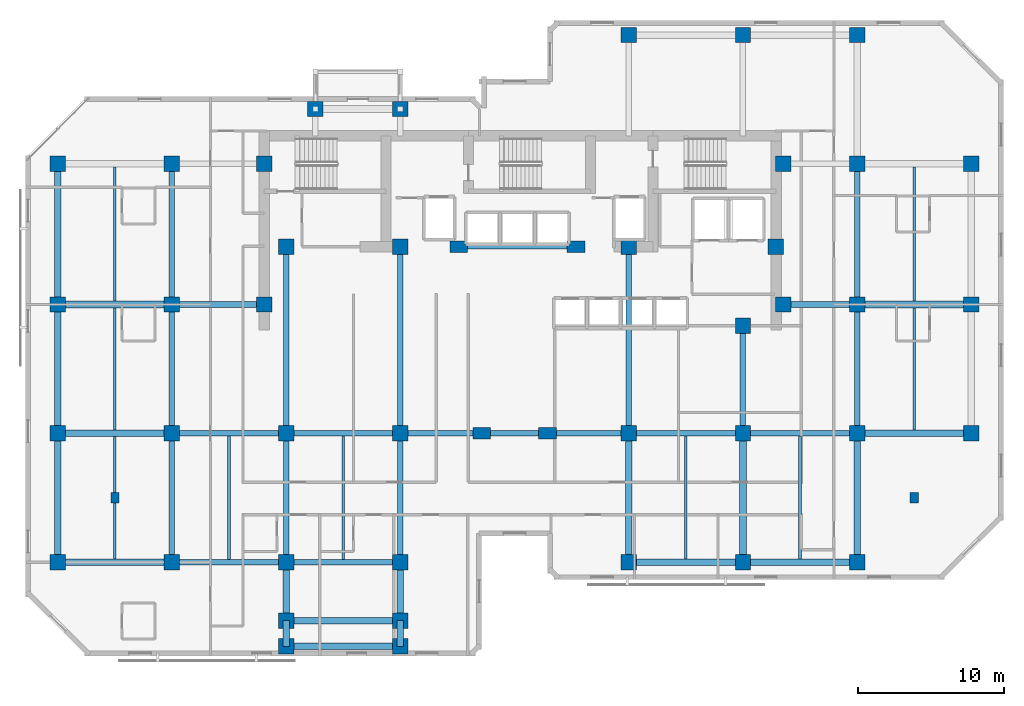
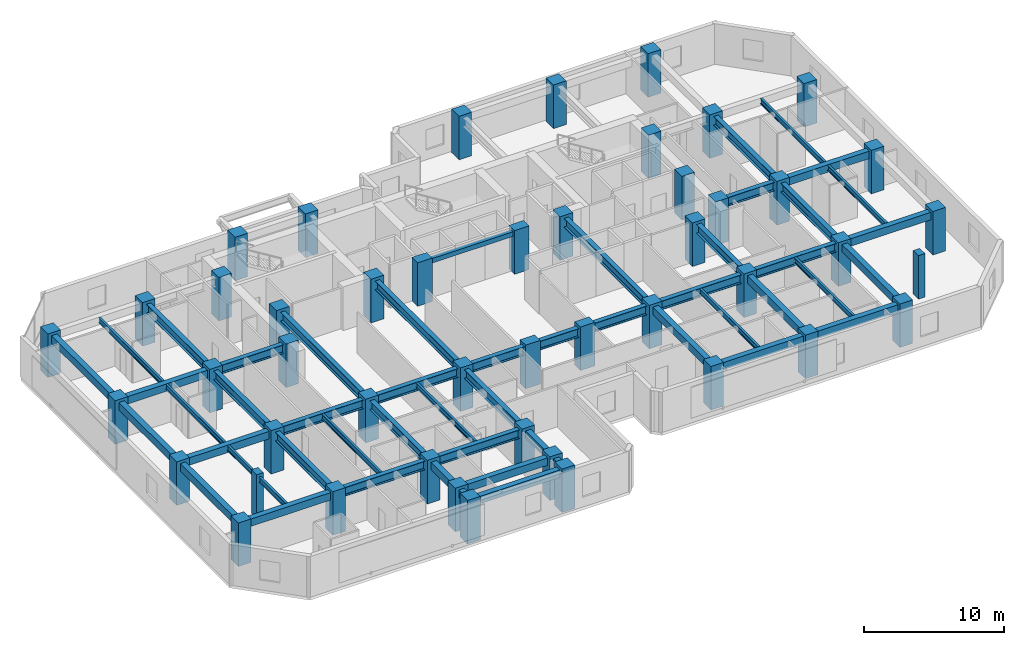
# One storey, part 1 of 10: 51 beams, 47 columns.
"""IFC4 building model written with IfcOpenShell, lengths in metres."""

from ifc_helpers import new_model, si_unit, direction, frame, origin, origin_2d, place, context, subcontext, project, spatial, rectangle, i_section, extrude, material, material_profile, profile_set, type_object, element, save


model = new_model("IFC4")

# Units and contexts
model_context = context("Model", 3, precision=1e-05, world=origin(), true_north=direction((0.0, 1.0)))
body_context = subcontext(model_context, "Body", "Model", "MODEL_VIEW")
ifc_project = project(units=[si_unit("LENGTHUNIT", "METRE"), si_unit("AREAUNIT", "SQUARE_METRE"), si_unit("VOLUMEUNIT", "CUBIC_METRE"), si_unit("PLANEANGLEUNIT", "RADIAN"), si_unit("MASSUNIT", "GRAM", prefix="KILO")], contexts=[model_context])

# Site, building, storey
site_placement = place(None, origin())
site = spatial("IfcSite", under=ifc_project, at=site_placement, CompositionType="ELEMENT")
building_placement = place(site_placement, origin())
building = spatial("IfcBuilding", under=site, at=building_placement, Name="Kestravale Grand Hotel", CompositionType="ELEMENT")
storey_placement = place(building_placement, frame((0.0, 0.0, 142.199951171875)))
storey = spatial("IfcBuildingStorey", under=building, at=storey_placement, Name="L35", CompositionType="ELEMENT", Elevation=142.199951171875)

# Columns
ifc_material_1 = material(Name="Concrete f'c 60 MPa", Category="concrete")
ifc_material_profile_1 = material_profile(ifc_material_1, rectangle(XDim=1.050048828125, YDim=1.050048828125, at=origin_2d()))
ifc_profile_set_1 = profile_set([ifc_material_profile_1], Name="Concrete f'c 60 MPa")
column_type_1 = type_object("IfcColumnType", Name="C-Z3-1050", PredefinedType="COLUMN", material=ifc_profile_set_1)
for number, where, z_axis, x_axis, name in (
    (1, (7.800048828125, 11.199951171875, 0.0), (0.0, 0.0, 1.0), (1.0, 0.0, 0.0), "L35 column 2-C"),
    (2, (7.800048828125, 20.0, 0.0), (0.0, 0.0, 1.0), (1.0, 0.0, 0.0), "L35 column 2-D"),
    (3, (7.800048828125, 28.800048828125, 0.0), (0.0, 0.0, 1.0), (1.0, 0.0, 0.0), "L35 column 2-E"),
    (4, (7.800048828125, 38.39990234375, 0.0), (0.0, 0.0, 1.0), (1.0, 0.0, 0.0), "L35 column 2-F"),
    (5, (15.60009765625, 11.199951171875, 0.0), (0.0, 0.0, 1.0), (1.0, 0.0, 0.0), "L35 column 3-C"),
    (6, (15.60009765625, 20.0, 0.0), (0.0, 0.0, 1.0), (1.0, 0.0, 0.0), "L35 column 3-D"),
    (7, (15.60009765625, 28.800048828125, 0.0), (0.0, 0.0, 1.0), (1.0, 0.0, 0.0), "L35 column 3-E"),
    (8, (15.60009765625, 38.39990234375, 0.0), (0.0, 0.0, 1.0), (1.0, 0.0, 0.0), "L35 column 3-F"),
    (9, (23.39990234375, 11.199951171875, 0.0), (0.0, 0.0, 1.0), (1.0, 0.0, 0.0), "L35 column 4-C"),
    (10, (23.39990234375, 20.0, 0.0), (0.0, 0.0, 1.0), (1.0, 0.0, 0.0), "L35 column 4-D"),
    (11, (31.199951171875, 11.199951171875, 0.0), (0.0, 0.0, 1.0), (1.0, 0.0, 0.0), "L35 column 5-C"),
    (12, (31.199951171875, 20.0, 0.0), (0.0, 0.0, 1.0), (1.0, 0.0, 0.0), "L35 column 5-D"),
    (13, (46.800048828125, 11.199951171875, 0.0), (0.0, 0.0, 1.0), (1.0, 0.0, 0.0), "L35 column 8-C"),
    (14, (46.800048828125, 20.0, 0.0), (0.0, 0.0, 1.0), (1.0, 0.0, 0.0), "L35 column 8-D"),
    (15, (46.800048828125, 47.199951171875, 0.0), (0.0, 0.0, 1.0), (1.0, 0.0, 0.0), "L35 column 8-G"),
    (16, (54.60009765625, 11.199951171875, 0.0), (0.0, 0.0, 1.0), (1.0, 0.0, 0.0), "L35 column 9-C"),
    (17, (54.60009765625, 20.0, 0.0), (0.0, 0.0, 1.0), (1.0, 0.0, 0.0), "L35 column 9-D"),
    (18, (54.60009765625, 47.199951171875, 0.0), (0.0, 0.0, 1.0), (1.0, 0.0, 0.0), "L35 column 9-G"),
    (19, (62.39990234375, 11.199951171875, 0.0), (0.0, 0.0, 1.0), (1.0, 0.0, 0.0), "L35 column 10-C"),
    (20, (62.39990234375, 20.0, 0.0), (0.0, 0.0, 1.0), (1.0, 0.0, 0.0), "L35 column 10-D"),
    (21, (62.39990234375, 28.800048828125, 0.0), (0.0, 0.0, 1.0), (1.0, 0.0, 0.0), "L35 column 10-E"),
    (22, (62.39990234375, 38.39990234375, 0.0), (0.0, 0.0, 1.0), (1.0, 0.0, 0.0), "L35 column 10-F"),
    (23, (62.39990234375, 47.199951171875, 0.0), (0.0, 0.0, 1.0), (1.0, 0.0, 0.0), "L35 column 10-G"),
    (24, (70.199951171875, 20.0, 0.0), (0.0, 0.0, 1.0), (1.0, 0.0, 0.0), "L35 column 11-D"),
    (25, (70.199951171875, 28.800048828125, 0.0), (0.0, 0.0, 1.0), (1.0, 0.0, 0.0), "L35 column 11-E"),
    (26, (70.199951171875, 38.39990234375, 0.0), (0.0, 0.0, 1.0), (1.0, 0.0, 0.0), "L35 column 11-F"),
    (27, (21.89990234375, 28.800048828125, 0.0), (0.0, 0.0, 1.0), (1.0, 0.0, 0.0), "L35 column CW-E"),
    (28, (21.89990234375, 38.39990234375, 0.0), (0.0, 0.0, 1.0), (1.0, 0.0, 0.0), "L35 column CW-F"),
    (29, (57.35009765625, 28.800048828125, 0.0), (0.0, 0.0, 1.0), (1.0, 0.0, 0.0), "L35 column CE-E"),
    (30, (57.35009765625, 38.39990234375, 0.0), (0.0, 0.0, 1.0), (1.0, 0.0, 0.0), "L35 column CE-F"),
    (31, (23.39990234375, 32.75, 0.0), (0.0, 0.0, 1.0), (1.0, 0.0, 0.0), "L35 column 4-CS"),
    (32, (31.199951171875, 32.75, 0.0), (0.0, 0.0, 1.0), (1.0, 0.0, 0.0), "L35 column 5-CS"),
    (33, (46.800048828125, 32.75, 0.0), (0.0, 0.0, 1.0), (1.0, 0.0, 0.0), "L35 column 8-CS"),
    (34, (54.60009765625, 27.35009765625, 0.0), (0.0, 0.0, 1.0), (1.0, 0.0, 0.0), "L35 column 9-CS"),
    (35, (56.85009765625, 32.75, 0.0), (0.0, 0.0, 1.0), (1.0, 0.0, 0.0), "L35 column 9C-CS"),
    (36, (23.39990234375, 7.199951171875, 0.0), (0.0, 0.0, 1.0), (1.0, 0.0, 0.0), "L35 column 4-BS"),
    (37, (31.199951171875, 7.199951171875, 0.0), (0.0, 0.0, 1.0), (1.0, 0.0, 0.0), "L35 column 5-BS"),
    (38, (25.39990234375, 42.14990234375, 0.0), (0.0, 0.0, 1.0), (1.0, 0.0, 0.0), "L35 column 4-FN"),
    (39, (31.199951171875, 42.14990234375, 0.0), (0.0, 0.0, 1.0), (1.0, 0.0, 0.0), "L35 column 5-FN"),
    (40, (23.39990234375, 5.449951171875, 0.0), (0.0, 0.0, 1.0), (1.0, 0.0, 0.0), "L35 column 4-B1S"),
    (41, (31.199951171875, 5.449951171875, 0.0), (0.0, 0.0, 1.0), (1.0, 0.0, 0.0), "L35 column 5-B1S"),
):
    element("IfcColumn", number, at=place(storey_placement, frame(where, z_axis=z_axis, x_axis=x_axis)), inside=storey, type_object=column_type_1, Name=name, PredefinedType="COLUMN", context=body_context, shape_type="SweptSolid", body=[
        extrude(rectangle(XDim=1.050048828125, YDim=1.050048828125, at=origin_2d()), origin(), (0.0, 0.0, 1.0), 3.800048828125),
    ])
ifc_material_2 = material(Name="Concrete f'c 60 MPa", Category="concrete")
ifc_material_profile_2 = material_profile(ifc_material_2, rectangle(XDim=1.199951171875, YDim=0.800048828125, at=origin_2d()))
ifc_profile_set_2 = profile_set([ifc_material_profile_2], Name="Concrete f'c 60 MPa")
column_type_2 = type_object("IfcColumnType", Name="C-Z3-1200X800", PredefinedType="COLUMN", material=ifc_profile_set_2)
for number, where, z_axis, x_axis, name in (
    (42, (36.75, 20.0, 0.0), (0.0, 0.0, 1.0), (1.0, 0.0, 0.0), "L35 column 6-D"),
    (43, (41.25, 20.0, 0.0), (0.0, 0.0, 1.0), (1.0, 0.0, 0.0), "L35 column 7-D"),
    (44, (35.199951171875, 32.75, 0.0), (0.0, 0.0, 1.0), (1.0, 0.0, 0.0), "L35 column 6C-CS"),
    (45, (43.199951171875, 32.75, 0.0), (0.0, 0.0, 1.0), (1.0, 0.0, 0.0), "L35 column 7C-CS"),
):
    element("IfcColumn", number, at=place(storey_placement, frame(where, z_axis=z_axis, x_axis=x_axis)), inside=storey, type_object=column_type_2, Name=name, PredefinedType="COLUMN", context=body_context, shape_type="SweptSolid", body=[
        extrude(rectangle(XDim=1.199951171875, YDim=0.800048828125, at=origin_2d()), origin(), (0.0, 0.0, 1.0), 3.800048828125),
    ])
ifc_material_3 = material(Name="Precast concrete f'c 45 MPa", Category="concrete")
ifc_material_profile_3 = material_profile(ifc_material_3, rectangle(XDim=0.550048828125, YDim=0.75, at=origin_2d()))
ifc_profile_set_3 = profile_set([ifc_material_profile_3], Name="Precast concrete f'c 45 MPa")
column_type_3 = type_object("IfcColumnType", Name="C-Z3-PIL750", PredefinedType="PILASTER", material=ifc_profile_set_3)
for number, where, z_axis, x_axis, name in (
    (46, (11.699951171875, 15.60009765625, 0.0), (0.0, 0.0, 1.0), (1.0, 0.0, 0.0), "L35 Art Deco fluted pilaster P1"),
    (47, (66.300048828125, 15.60009765625, 0.0), (0.0, 0.0, 1.0), (1.0, 0.0, 0.0), "L35 Art Deco fluted pilaster P2"),
):
    element("IfcColumn", number, at=place(storey_placement, frame(where, z_axis=z_axis, x_axis=x_axis)), inside=storey, type_object=column_type_3, Name=name, PredefinedType="PILASTER", context=body_context, shape_type="SweptSolid", body=[
        extrude(rectangle(XDim=0.550048828125, YDim=0.75, at=origin_2d()), origin(), (0.0, 0.0, 1.0), 3.800048828125),
    ])

# Beams
ifc_material_4 = material(Name="Steel ASTM A992 Grade 50", Category="steel")
ifc_material_profile_4 = material_profile(ifc_material_4, i_section(OverallWidth=0.19091796875, OverallDepth=0.45703125, WebThickness=0.009033203125, FlangeThickness=0.014404296875, FilletRadius=0.015380859375, at=origin_2d()))
ifc_profile_set_4 = profile_set([ifc_material_profile_4], Name="Steel ASTM A992 Grade 50")
beam_type_1 = type_object("IfcBeamType", Name="B-FLR-JST18", PredefinedType="JOIST", material=ifc_profile_set_4)
for number, where, z_axis, x_axis, name in (
    (48, (11.699951171875, 11.425048828125, 3.321533203125), (0.0, 1.0, 0.0), (-1.0, 0.0, 0.0), "L35 floor joist 2-3/C-D #1"),
    (49, (11.699951171875, 20.22509765625, 3.321533203125), (0.0, 1.0, 0.0), (-1.0, 0.0, 0.0), "L35 floor joist 2-3/D-E #1"),
):
    element("IfcBeam", number, at=place(storey_placement, frame(where, z_axis=z_axis, x_axis=x_axis)), inside=storey, type_object=beam_type_1, Name=name, PredefinedType="JOIST", context=body_context, shape_type="SweptSolid", body=[
        extrude(i_section(OverallWidth=0.19091796875, OverallDepth=0.45703125, WebThickness=0.009033203125, FlangeThickness=0.014404296875, FilletRadius=0.015380859375, at=origin_2d()), origin(), (0.0, 0.0, 1.0), 8.349853515625),
    ])
beam_1_placement = place(storey_placement, frame((11.699951171875, 29.02490234375, 3.321533203125), z_axis=(0.0, 1.0, 0.0), x_axis=(-1.0, 0.0, 0.0)))
element("IfcBeam", 50, at=beam_1_placement, inside=storey, type_object=beam_type_1, Name="L35 floor joist 2-3/E-F #1", PredefinedType="JOIST", context=body_context, shape_type="SweptSolid", body=[
    extrude(i_section(OverallWidth=0.19091796875, OverallDepth=0.45703125, WebThickness=0.009033203125, FlangeThickness=0.014404296875, FilletRadius=0.015380859375, at=origin_2d()), origin(), (0.0, 0.0, 1.0), 9.150146484375),
])
for number, where, z_axis, x_axis, name in (
    (51, (19.5, 11.390380859375, 3.321533203125), (0.0, 1.0, 0.0), (-1.0, 0.0, 0.0), "L35 floor joist 3-4/C-D #1"),
    (52, (27.300048828125, 11.390380859375, 3.321533203125), (0.0, 1.0, 0.0), (-1.0, 0.0, 0.0), "L35 floor joist 4-5/C-D #1"),
):
    element("IfcBeam", number, at=place(storey_placement, frame(where, z_axis=z_axis, x_axis=x_axis)), inside=storey, type_object=beam_type_1, Name=name, PredefinedType="JOIST", context=body_context, shape_type="SweptSolid", body=[
        extrude(i_section(OverallWidth=0.19091796875, OverallDepth=0.45703125, WebThickness=0.009033203125, FlangeThickness=0.014404296875, FilletRadius=0.015380859375, at=origin_2d()), origin(), (0.0, 0.0, 1.0), 8.419189453125),
    ])
for number, where, z_axis, x_axis, name in (
    (53, (50.699951171875, 11.425048828125, 3.321533203125), (0.0, 1.0, 0.0), (-1.0, 0.0, 0.0), "L35 floor joist 8-9/C-D #1"),
    (54, (58.5, 11.425048828125, 3.321533203125), (0.0, 1.0, 0.0), (-1.0, 0.0, 0.0), "L35 floor joist 9-10/C-D #1"),
):
    element("IfcBeam", number, at=place(storey_placement, frame(where, z_axis=z_axis, x_axis=x_axis)), inside=storey, type_object=beam_type_1, Name=name, PredefinedType="JOIST", context=body_context, shape_type="SweptSolid", body=[
        extrude(i_section(OverallWidth=0.19091796875, OverallDepth=0.45703125, WebThickness=0.009033203125, FlangeThickness=0.014404296875, FilletRadius=0.015380859375, at=origin_2d()), origin(), (0.0, 0.0, 1.0), 8.384521484375),
    ])
beam_2_placement = place(storey_placement, frame((66.300048828125, 20.22509765625, 3.321533203125), z_axis=(0.0, 1.0, 0.0), x_axis=(-1.0, 0.0, 0.0)))
element("IfcBeam", 55, at=beam_2_placement, inside=storey, type_object=beam_type_1, Name="L35 floor joist 10-11/D-E #1", PredefinedType="JOIST", context=body_context, shape_type="SweptSolid", body=[
    extrude(i_section(OverallWidth=0.19091796875, OverallDepth=0.45703125, WebThickness=0.009033203125, FlangeThickness=0.014404296875, FilletRadius=0.015380859375, at=origin_2d()), origin(), (0.0, 0.0, 1.0), 8.349853515625),
])
beam_3_placement = place(storey_placement, frame((66.300048828125, 29.02490234375, 3.321533203125), z_axis=(0.0, 1.0, 0.0), x_axis=(-1.0, 0.0, 0.0)))
element("IfcBeam", 56, at=beam_3_placement, inside=storey, type_object=beam_type_1, Name="L35 floor joist 10-11/E-F #1", PredefinedType="JOIST", context=body_context, shape_type="SweptSolid", body=[
    extrude(i_section(OverallWidth=0.19091796875, OverallDepth=0.45703125, WebThickness=0.009033203125, FlangeThickness=0.014404296875, FilletRadius=0.015380859375, at=origin_2d()), origin(), (0.0, 0.0, 1.0), 9.150146484375),
])
ifc_material_5 = material(Name="Concrete f'c 45 MPa", Category="concrete")
ifc_material_profile_5 = material_profile(ifc_material_5, rectangle(XDim=0.300048828125, YDim=0.39990234375, at=origin_2d()))
ifc_profile_set_5 = profile_set([ifc_material_profile_5], Name="Concrete f'c 45 MPa")
beam_type_2 = type_object("IfcBeamType", Name="B-FLR-LNT400", PredefinedType="LINTEL", material=ifc_profile_set_5)
beam_4_placement = place(storey_placement, frame((35.199951171875, 32.75, 3.35009765625), z_axis=(1.0, 0.0, 0.0), x_axis=(0.0, 1.0, 0.0)))
element("IfcBeam", 57, at=beam_4_placement, inside=storey, type_object=beam_type_2, Name="L35 core portal header lintel", PredefinedType="LINTEL", context=body_context, shape_type="SweptSolid", body=[
    extrude(rectangle(XDim=0.300048828125, YDim=0.39990234375, at=origin_2d()), origin(), (0.0, 0.0, 1.0), 8.0),
])
ifc_material_6 = material(Name="Concrete f'c 45 MPa", Category="concrete")
ifc_material_profile_6 = material_profile(ifc_material_6, rectangle(XDim=0.449951171875, YDim=0.64990234375, at=origin_2d()))
ifc_profile_set_6 = profile_set([ifc_material_profile_6], Name="Concrete f'c 45 MPa")
beam_type_3 = type_object("IfcBeamType", Name="B-FLR-RC650", PredefinedType="SPANDREL", material=ifc_profile_set_6)
for number, where, z_axis, x_axis, name in (
    (58, (7.800048828125, 11.199951171875, 3.22509765625), (1.0, 0.0, 0.0), (0.0, 1.0, 0.0), "L35 spandrel C:2-3"),
    (59, (46.800048828125, 11.199951171875, 3.22509765625), (1.0, 0.0, 0.0), (0.0, 1.0, 0.0), "L35 spandrel C:8-9"),
):
    element("IfcBeam", number, at=place(storey_placement, frame(where, z_axis=z_axis, x_axis=x_axis)), inside=storey, type_object=beam_type_3, Name=name, PredefinedType="SPANDREL", context=body_context, shape_type="SweptSolid", body=[
        extrude(rectangle(XDim=0.449951171875, YDim=0.64990234375, at=origin_2d()), origin(), (0.0, 0.0, 1.0), 7.800048828125),
    ])
beam_5_placement = place(storey_placement, frame((54.60009765625, 11.199951171875, 3.22509765625), z_axis=(1.0, 0.0, 0.0), x_axis=(0.0, 1.0, 0.0)))
element("IfcBeam", 60, at=beam_5_placement, inside=storey, type_object=beam_type_3, Name="L35 spandrel C:9-10", PredefinedType="SPANDREL", context=body_context, shape_type="SweptSolid", body=[
    extrude(rectangle(XDim=0.449951171875, YDim=0.64990234375, at=origin_2d()), origin(), (0.0, 0.0, 1.0), 7.7998046875),
])
for number, where, z_axis, x_axis, name in (
    (61, (7.800048828125, 20.0, 3.22509765625), (1.0, 0.0, 0.0), (0.0, 1.0, 0.0), "L35 spandrel D:2-3"),
    (62, (62.39990234375, 20.0, 3.22509765625), (1.0, 0.0, 0.0), (0.0, 1.0, 0.0), "L35 spandrel D:10-11"),
    (63, (7.800048828125, 28.800048828125, 3.22509765625), (1.0, 0.0, 0.0), (0.0, 1.0, 0.0), "L35 spandrel E:2-3"),
    (64, (62.39990234375, 28.800048828125, 3.22509765625), (1.0, 0.0, 0.0), (0.0, 1.0, 0.0), "L35 spandrel E:10-11"),
    (65, (23.39990234375, 5.449951171875, 3.22509765625), (1.0, 0.0, 0.0), (0.0, 1.0, 0.0), "L35 perimeter tie spandrel B1S:4-5"),
    (66, (23.39990234375, 7.199951171875, 3.22509765625), (1.0, 0.0, 0.0), (0.0, 1.0, 0.0), "L35 perimeter tie spandrel BS:4-5"),
):
    element("IfcBeam", number, at=place(storey_placement, frame(where, z_axis=z_axis, x_axis=x_axis)), inside=storey, type_object=beam_type_3, Name=name, PredefinedType="SPANDREL", context=body_context, shape_type="SweptSolid", body=[
        extrude(rectangle(XDim=0.449951171875, YDim=0.64990234375, at=origin_2d()), origin(), (0.0, 0.0, 1.0), 7.800048828125),
    ])
for number, where, z_axis, x_axis, name in (
    (67, (7.800048828125, 11.199951171875, 3.22509765625), (0.0, 1.0, 0.0), (-1.0, 0.0, 0.0), "L35 spandrel 2:C-D"),
    (68, (7.800048828125, 20.0, 3.22509765625), (0.0, 1.0, 0.0), (-1.0, 0.0, 0.0), "L35 spandrel 2:D-E"),
):
    element("IfcBeam", number, at=place(storey_placement, frame(where, z_axis=z_axis, x_axis=x_axis)), inside=storey, type_object=beam_type_3, Name=name, PredefinedType="SPANDREL", context=body_context, shape_type="SweptSolid", body=[
        extrude(rectangle(XDim=0.449951171875, YDim=0.64990234375, at=origin_2d()), origin(), (0.0, 0.0, 1.0), 8.800048828125),
    ])
beam_6_placement = place(storey_placement, frame((7.800048828125, 28.800048828125, 3.22509765625), z_axis=(0.0, 1.0, 0.0), x_axis=(-1.0, 0.0, 0.0)))
element("IfcBeam", 69, at=beam_6_placement, inside=storey, type_object=beam_type_3, Name="L35 spandrel 2:E-F", PredefinedType="SPANDREL", context=body_context, shape_type="SweptSolid", body=[
    extrude(rectangle(XDim=0.449951171875, YDim=0.64990234375, at=origin_2d()), origin(), (0.0, 0.0, 1.0), 9.599853515625),
])
beam_7_placement = place(storey_placement, frame((23.39990234375, 5.449951171875, 3.22509765625), z_axis=(0.0, 1.0, 0.0), x_axis=(-1.0, 0.0, 0.0)))
element("IfcBeam", 70, at=beam_7_placement, inside=storey, type_object=beam_type_3, Name="L35 spandrel 4:B1S-BS", PredefinedType="SPANDREL", context=body_context, shape_type="SweptSolid", body=[
    extrude(rectangle(XDim=0.449951171875, YDim=0.64990234375, at=origin_2d()), origin(), (0.0, 0.0, 1.0), 1.75),
])
beam_8_placement = place(storey_placement, frame((23.39990234375, 7.199951171875, 3.22509765625), z_axis=(0.0, 1.0, 0.0), x_axis=(-1.0, 0.0, 0.0)))
element("IfcBeam", 71, at=beam_8_placement, inside=storey, type_object=beam_type_3, Name="L35 spandrel 4:BS-C", PredefinedType="SPANDREL", context=body_context, shape_type="SweptSolid", body=[
    extrude(rectangle(XDim=0.449951171875, YDim=0.64990234375, at=origin_2d()), origin(), (0.0, 0.0, 1.0), 4.0),
])
beam_9_placement = place(storey_placement, frame((31.199951171875, 5.449951171875, 3.22509765625), z_axis=(0.0, 1.0, 0.0), x_axis=(-1.0, 0.0, 0.0)))
element("IfcBeam", 72, at=beam_9_placement, inside=storey, type_object=beam_type_3, Name="L35 spandrel 5:B1S-BS", PredefinedType="SPANDREL", context=body_context, shape_type="SweptSolid", body=[
    extrude(rectangle(XDim=0.449951171875, YDim=0.64990234375, at=origin_2d()), origin(), (0.0, 0.0, 1.0), 1.75),
])
beam_10_placement = place(storey_placement, frame((31.199951171875, 7.199951171875, 3.22509765625), z_axis=(0.0, 1.0, 0.0), x_axis=(-1.0, 0.0, 0.0)))
element("IfcBeam", 73, at=beam_10_placement, inside=storey, type_object=beam_type_3, Name="L35 spandrel 5:BS-C", PredefinedType="SPANDREL", context=body_context, shape_type="SweptSolid", body=[
    extrude(rectangle(XDim=0.449951171875, YDim=0.64990234375, at=origin_2d()), origin(), (0.0, 0.0, 1.0), 4.0),
])
for number, where, z_axis, x_axis, name in (
    (74, (46.800048828125, 11.199951171875, 3.22509765625), (0.0, 1.0, 0.0), (-1.0, 0.0, 0.0), "L35 spandrel 8:C-D"),
    (75, (54.60009765625, 11.199951171875, 3.22509765625), (0.0, 1.0, 0.0), (-1.0, 0.0, 0.0), "L35 spandrel 9:C-D"),
    (76, (62.39990234375, 11.199951171875, 3.22509765625), (0.0, 1.0, 0.0), (-1.0, 0.0, 0.0), "L35 spandrel 10:C-D"),
):
    element("IfcBeam", number, at=place(storey_placement, frame(where, z_axis=z_axis, x_axis=x_axis)), inside=storey, type_object=beam_type_3, Name=name, PredefinedType="SPANDREL", context=body_context, shape_type="SweptSolid", body=[
        extrude(rectangle(XDim=0.449951171875, YDim=0.64990234375, at=origin_2d()), origin(), (0.0, 0.0, 1.0), 8.800048828125),
    ])
ifc_material_7 = material(Name="Steel ASTM A992 Grade 50", Category="steel")
ifc_material_profile_7 = material_profile(ifc_material_7, i_section(OverallWidth=0.381103515625, OverallDepth=0.77197265625, WebThickness=0.0166015625, FlangeThickness=0.027099609375, FilletRadius=0.023681640625, at=origin_2d()))
ifc_profile_set_7 = profile_set([ifc_material_profile_7], Name="Steel ASTM A992 Grade 50")
beam_type_4 = type_object("IfcBeamType", Name="B-GRD-W30", PredefinedType="BEAM", material=ifc_profile_set_7)
beam_11_placement = place(storey_placement, frame((15.60009765625, 11.199951171875, 3.1640625), z_axis=(1.0, 0.0, 0.0), x_axis=(0.0, 1.0, 0.0)))
element("IfcBeam", 77, at=beam_11_placement, inside=storey, type_object=beam_type_4, Name="L35 girder C:3-4", PredefinedType="BEAM", context=body_context, shape_type="SweptSolid", body=[
    extrude(i_section(OverallWidth=0.381103515625, OverallDepth=0.77197265625, WebThickness=0.0166015625, FlangeThickness=0.027099609375, FilletRadius=0.023681640625, at=origin_2d()), origin(), (0.0, 0.0, 1.0), 7.7998046875),
])
beam_12_placement = place(storey_placement, frame((23.39990234375, 11.199951171875, 3.1640625), z_axis=(1.0, 0.0, 0.0), x_axis=(0.0, 1.0, 0.0)))
element("IfcBeam", 78, at=beam_12_placement, inside=storey, type_object=beam_type_4, Name="L35 girder C:4-5", PredefinedType="BEAM", context=body_context, shape_type="SweptSolid", body=[
    extrude(i_section(OverallWidth=0.381103515625, OverallDepth=0.77197265625, WebThickness=0.0166015625, FlangeThickness=0.027099609375, FilletRadius=0.023681640625, at=origin_2d()), origin(), (0.0, 0.0, 1.0), 7.800048828125),
])
beam_13_placement = place(storey_placement, frame((15.60009765625, 20.0, 3.1640625), z_axis=(1.0, 0.0, 0.0), x_axis=(0.0, 1.0, 0.0)))
element("IfcBeam", 79, at=beam_13_placement, inside=storey, type_object=beam_type_4, Name="L35 girder D:3-4", PredefinedType="BEAM", context=body_context, shape_type="SweptSolid", body=[
    extrude(i_section(OverallWidth=0.381103515625, OverallDepth=0.77197265625, WebThickness=0.0166015625, FlangeThickness=0.027099609375, FilletRadius=0.023681640625, at=origin_2d()), origin(), (0.0, 0.0, 1.0), 7.7998046875),
])
beam_14_placement = place(storey_placement, frame((23.39990234375, 20.0, 3.1640625), z_axis=(1.0, 0.0, 0.0), x_axis=(0.0, 1.0, 0.0)))
element("IfcBeam", 80, at=beam_14_placement, inside=storey, type_object=beam_type_4, Name="L35 girder D:4-5", PredefinedType="BEAM", context=body_context, shape_type="SweptSolid", body=[
    extrude(i_section(OverallWidth=0.381103515625, OverallDepth=0.77197265625, WebThickness=0.0166015625, FlangeThickness=0.027099609375, FilletRadius=0.023681640625, at=origin_2d()), origin(), (0.0, 0.0, 1.0), 7.800048828125),
])
beam_15_placement = place(storey_placement, frame((31.199951171875, 20.0, 3.1640625), z_axis=(1.0, 0.0, 0.0), x_axis=(0.0, 1.0, 0.0)))
element("IfcBeam", 81, at=beam_15_placement, inside=storey, type_object=beam_type_4, Name="L35 girder D:5-6", PredefinedType="BEAM", context=body_context, shape_type="SweptSolid", body=[
    extrude(i_section(OverallWidth=0.381103515625, OverallDepth=0.77197265625, WebThickness=0.0166015625, FlangeThickness=0.027099609375, FilletRadius=0.023681640625, at=origin_2d()), origin(), (0.0, 0.0, 1.0), 5.550048828125),
])
beam_16_placement = place(storey_placement, frame((36.75, 20.0, 3.1640625), z_axis=(1.0, 0.0, 0.0), x_axis=(0.0, 1.0, 0.0)))
element("IfcBeam", 82, at=beam_16_placement, inside=storey, type_object=beam_type_4, Name="L35 girder D:6-7", PredefinedType="BEAM", context=body_context, shape_type="SweptSolid", body=[
    extrude(i_section(OverallWidth=0.381103515625, OverallDepth=0.77197265625, WebThickness=0.0166015625, FlangeThickness=0.027099609375, FilletRadius=0.023681640625, at=origin_2d()), origin(), (0.0, 0.0, 1.0), 4.5),
])
beam_17_placement = place(storey_placement, frame((41.25, 20.0, 3.1640625), z_axis=(1.0, 0.0, 0.0), x_axis=(0.0, 1.0, 0.0)))
element("IfcBeam", 83, at=beam_17_placement, inside=storey, type_object=beam_type_4, Name="L35 girder D:7-8", PredefinedType="BEAM", context=body_context, shape_type="SweptSolid", body=[
    extrude(i_section(OverallWidth=0.381103515625, OverallDepth=0.77197265625, WebThickness=0.0166015625, FlangeThickness=0.027099609375, FilletRadius=0.023681640625, at=origin_2d()), origin(), (0.0, 0.0, 1.0), 5.550048828125),
])
beam_18_placement = place(storey_placement, frame((46.800048828125, 20.0, 3.1640625), z_axis=(1.0, 0.0, 0.0), x_axis=(0.0, 1.0, 0.0)))
element("IfcBeam", 84, at=beam_18_placement, inside=storey, type_object=beam_type_4, Name="L35 girder D:8-9", PredefinedType="BEAM", context=body_context, shape_type="SweptSolid", body=[
    extrude(i_section(OverallWidth=0.381103515625, OverallDepth=0.77197265625, WebThickness=0.0166015625, FlangeThickness=0.027099609375, FilletRadius=0.023681640625, at=origin_2d()), origin(), (0.0, 0.0, 1.0), 7.800048828125),
])
beam_19_placement = place(storey_placement, frame((54.60009765625, 20.0, 3.1640625), z_axis=(1.0, 0.0, 0.0), x_axis=(0.0, 1.0, 0.0)))
element("IfcBeam", 85, at=beam_19_placement, inside=storey, type_object=beam_type_4, Name="L35 girder D:9-10", PredefinedType="BEAM", context=body_context, shape_type="SweptSolid", body=[
    extrude(i_section(OverallWidth=0.381103515625, OverallDepth=0.77197265625, WebThickness=0.0166015625, FlangeThickness=0.027099609375, FilletRadius=0.023681640625, at=origin_2d()), origin(), (0.0, 0.0, 1.0), 7.7998046875),
])
beam_20_placement = place(storey_placement, frame((15.60009765625, 28.800048828125, 3.1640625), z_axis=(1.0, 0.0, 0.0), x_axis=(0.0, 1.0, 0.0)))
element("IfcBeam", 86, at=beam_20_placement, inside=storey, type_object=beam_type_4, Name="L35 girder E:3-CW", PredefinedType="BEAM", context=body_context, shape_type="SweptSolid", body=[
    extrude(i_section(OverallWidth=0.381103515625, OverallDepth=0.77197265625, WebThickness=0.0166015625, FlangeThickness=0.027099609375, FilletRadius=0.023681640625, at=origin_2d()), origin(), (0.0, 0.0, 1.0), 6.2998046875),
])
beam_21_placement = place(storey_placement, frame((57.35009765625, 28.800048828125, 3.1640625), z_axis=(1.0, 0.0, 0.0), x_axis=(0.0, 1.0, 0.0)))
element("IfcBeam", 87, at=beam_21_placement, inside=storey, type_object=beam_type_4, Name="L35 girder E:CE-10", PredefinedType="BEAM", context=body_context, shape_type="SweptSolid", body=[
    extrude(i_section(OverallWidth=0.381103515625, OverallDepth=0.77197265625, WebThickness=0.0166015625, FlangeThickness=0.027099609375, FilletRadius=0.023681640625, at=origin_2d()), origin(), (0.0, 0.0, 1.0), 5.0498046875),
])
for number, where, z_axis, x_axis, name in (
    (88, (15.60009765625, 11.199951171875, 3.1640625), (0.0, 1.0, 0.0), (-1.0, 0.0, 0.0), "L35 girder 3:C-D"),
    (89, (15.60009765625, 20.0, 3.1640625), (0.0, 1.0, 0.0), (-1.0, 0.0, 0.0), "L35 girder 3:D-E"),
):
    element("IfcBeam", number, at=place(storey_placement, frame(where, z_axis=z_axis, x_axis=x_axis)), inside=storey, type_object=beam_type_4, Name=name, PredefinedType="BEAM", context=body_context, shape_type="SweptSolid", body=[
        extrude(i_section(OverallWidth=0.381103515625, OverallDepth=0.77197265625, WebThickness=0.0166015625, FlangeThickness=0.027099609375, FilletRadius=0.023681640625, at=origin_2d()), origin(), (0.0, 0.0, 1.0), 8.800048828125),
    ])
beam_22_placement = place(storey_placement, frame((15.60009765625, 28.800048828125, 3.1640625), z_axis=(0.0, 1.0, 0.0), x_axis=(-1.0, 0.0, 0.0)))
element("IfcBeam", 90, at=beam_22_placement, inside=storey, type_object=beam_type_4, Name="L35 girder 3:E-F", PredefinedType="BEAM", context=body_context, shape_type="SweptSolid", body=[
    extrude(i_section(OverallWidth=0.381103515625, OverallDepth=0.77197265625, WebThickness=0.0166015625, FlangeThickness=0.027099609375, FilletRadius=0.023681640625, at=origin_2d()), origin(), (0.0, 0.0, 1.0), 9.599853515625),
])
beam_23_placement = place(storey_placement, frame((23.39990234375, 11.199951171875, 3.1640625), z_axis=(0.0, 1.0, 0.0), x_axis=(-1.0, 0.0, 0.0)))
element("IfcBeam", 91, at=beam_23_placement, inside=storey, type_object=beam_type_4, Name="L35 girder 4:C-D", PredefinedType="BEAM", context=body_context, shape_type="SweptSolid", body=[
    extrude(i_section(OverallWidth=0.381103515625, OverallDepth=0.77197265625, WebThickness=0.0166015625, FlangeThickness=0.027099609375, FilletRadius=0.023681640625, at=origin_2d()), origin(), (0.0, 0.0, 1.0), 8.800048828125),
])
beam_24_placement = place(storey_placement, frame((23.39990234375, 20.0, 3.1640625), z_axis=(0.0, 1.0, 0.0), x_axis=(-1.0, 0.0, 0.0)))
element("IfcBeam", 92, at=beam_24_placement, inside=storey, type_object=beam_type_4, Name="L35 girder 4:D-CS", PredefinedType="BEAM", context=body_context, shape_type="SweptSolid", body=[
    extrude(i_section(OverallWidth=0.381103515625, OverallDepth=0.77197265625, WebThickness=0.0166015625, FlangeThickness=0.027099609375, FilletRadius=0.023681640625, at=origin_2d()), origin(), (0.0, 0.0, 1.0), 12.75),
])
beam_25_placement = place(storey_placement, frame((31.199951171875, 11.199951171875, 3.1640625), z_axis=(0.0, 1.0, 0.0), x_axis=(-1.0, 0.0, 0.0)))
element("IfcBeam", 93, at=beam_25_placement, inside=storey, type_object=beam_type_4, Name="L35 girder 5:C-D", PredefinedType="BEAM", context=body_context, shape_type="SweptSolid", body=[
    extrude(i_section(OverallWidth=0.381103515625, OverallDepth=0.77197265625, WebThickness=0.0166015625, FlangeThickness=0.027099609375, FilletRadius=0.023681640625, at=origin_2d()), origin(), (0.0, 0.0, 1.0), 8.800048828125),
])
for number, where, z_axis, x_axis, name in (
    (94, (31.199951171875, 20.0, 3.1640625), (0.0, 1.0, 0.0), (-1.0, 0.0, 0.0), "L35 girder 5:D-CS"),
    (95, (46.800048828125, 20.0, 3.1640625), (0.0, 1.0, 0.0), (-1.0, 0.0, 0.0), "L35 girder 8:D-CS"),
):
    element("IfcBeam", number, at=place(storey_placement, frame(where, z_axis=z_axis, x_axis=x_axis)), inside=storey, type_object=beam_type_4, Name=name, PredefinedType="BEAM", context=body_context, shape_type="SweptSolid", body=[
        extrude(i_section(OverallWidth=0.381103515625, OverallDepth=0.77197265625, WebThickness=0.0166015625, FlangeThickness=0.027099609375, FilletRadius=0.023681640625, at=origin_2d()), origin(), (0.0, 0.0, 1.0), 12.75),
    ])
beam_26_placement = place(storey_placement, frame((54.60009765625, 20.0, 3.1640625), z_axis=(0.0, 1.0, 0.0), x_axis=(-1.0, 0.0, 0.0)))
element("IfcBeam", 96, at=beam_26_placement, inside=storey, type_object=beam_type_4, Name="L35 girder 9:D-CS", PredefinedType="BEAM", context=body_context, shape_type="SweptSolid", body=[
    extrude(i_section(OverallWidth=0.381103515625, OverallDepth=0.77197265625, WebThickness=0.0166015625, FlangeThickness=0.027099609375, FilletRadius=0.023681640625, at=origin_2d()), origin(), (0.0, 0.0, 1.0), 7.35009765625),
])
beam_27_placement = place(storey_placement, frame((62.39990234375, 20.0, 3.1640625), z_axis=(0.0, 1.0, 0.0), x_axis=(-1.0, 0.0, 0.0)))
element("IfcBeam", 97, at=beam_27_placement, inside=storey, type_object=beam_type_4, Name="L35 girder 10:D-E", PredefinedType="BEAM", context=body_context, shape_type="SweptSolid", body=[
    extrude(i_section(OverallWidth=0.381103515625, OverallDepth=0.77197265625, WebThickness=0.0166015625, FlangeThickness=0.027099609375, FilletRadius=0.023681640625, at=origin_2d()), origin(), (0.0, 0.0, 1.0), 8.800048828125),
])
beam_28_placement = place(storey_placement, frame((62.39990234375, 28.800048828125, 3.1640625), z_axis=(0.0, 1.0, 0.0), x_axis=(-1.0, 0.0, 0.0)))
element("IfcBeam", 98, at=beam_28_placement, inside=storey, type_object=beam_type_4, Name="L35 girder 10:E-F", PredefinedType="BEAM", context=body_context, shape_type="SweptSolid", body=[
    extrude(i_section(OverallWidth=0.381103515625, OverallDepth=0.77197265625, WebThickness=0.0166015625, FlangeThickness=0.027099609375, FilletRadius=0.023681640625, at=origin_2d()), origin(), (0.0, 0.0, 1.0), 9.599853515625),
])

save(model, "model.ifc")
